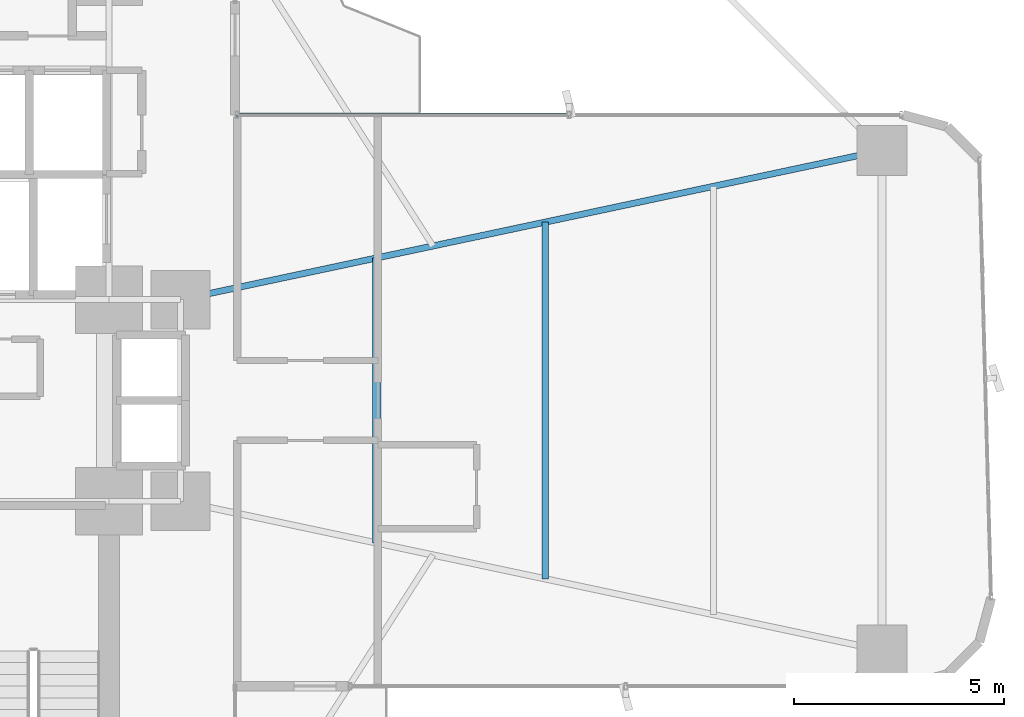
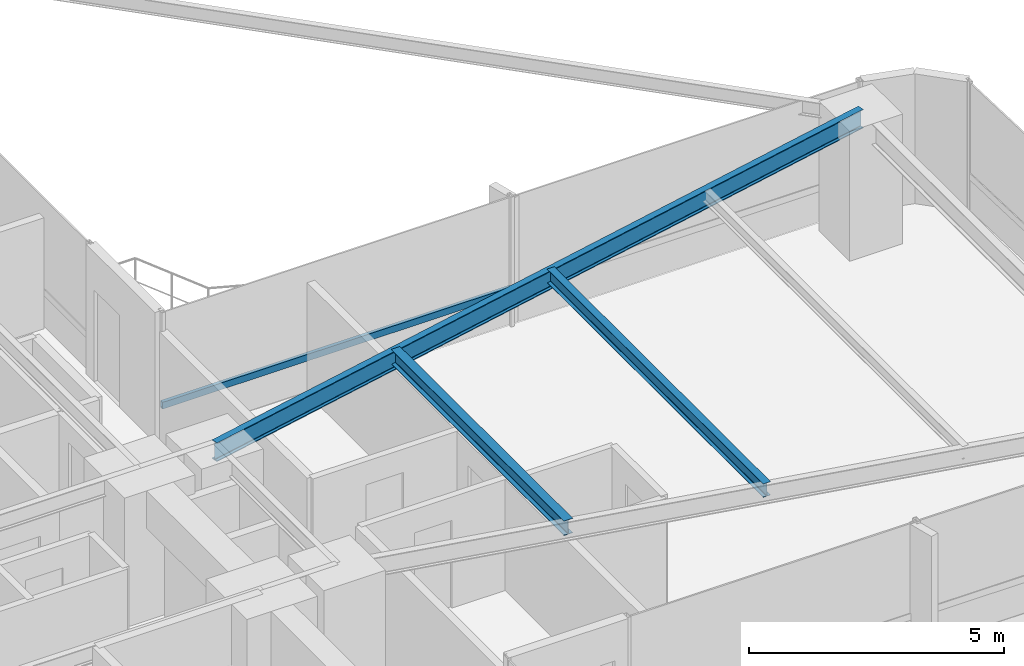
# One storey, part 15 of 25: 3 beams, 1 member, 1 element without a shape of its own.
"""IFC4 building model written with IfcOpenShell, lengths in metres."""

from ifc_helpers import new_model, si_unit, direction, frame, origin, origin_2d, place, context, subcontext, project, spatial, hollow_rectangle, i_section, extrude, source, transform, mapped, material, material_profile, profile_set, type_object, element, aggregate, save


model = new_model("IFC4")

# Units and contexts
model_context = context("Model", 3, precision=1e-05, world=origin(), true_north=direction((0.0, 1.0)))
body_context = subcontext(model_context, "Body", "Model", "MODEL_VIEW")
ifc_project = project(units=[si_unit("LENGTHUNIT", "METRE"), si_unit("AREAUNIT", "SQUARE_METRE"), si_unit("VOLUMEUNIT", "CUBIC_METRE"), si_unit("PLANEANGLEUNIT", "RADIAN"), si_unit("MASSUNIT", "GRAM", prefix="KILO")], contexts=[model_context])

# Site, building, storey
site_placement = place(None, origin())
site = spatial("IfcSite", under=ifc_project, at=site_placement, CompositionType="ELEMENT")
building_placement = place(site_placement, origin())
building = spatial("IfcBuilding", under=site, at=building_placement, Name="Sahyath Konkavel Grand Hotel", CompositionType="ELEMENT")
storey_placement = place(building_placement, frame((0.0, 0.0, 54.39990234375)))
storey = spatial("IfcBuildingStorey", under=building, at=storey_placement, Name="L14", CompositionType="ELEMENT", Elevation=54.39990234375)

# Beams
ifc_material_1 = material(Name="Steel E350", Category="steel")
ifc_material_profile_1 = material_profile(ifc_material_1, i_section(OverallWidth=0.14990234375, OverallDepth=0.449951171875, WebThickness=0.009521484375, FlangeThickness=0.017333984375, FilletRadius=0.014892578125, at=origin_2d()), Name="ISMB 450")
ifc_profile_set_1 = profile_set([ifc_material_profile_1], Name="Steel E350")
beam_type_1 = type_object("IfcBeamType", Name="BM-ISMB450", PredefinedType="BEAM", material=ifc_profile_set_1)
shared_shape_1 = source(origin(), body_context, "Body", "SweptSolid", [
    extrude(i_section(OverallWidth=0.14990234375, OverallDepth=0.449951171875, WebThickness=0.009521484375, FlangeThickness=0.017333984375, FilletRadius=0.014892578125, at=origin_2d()), origin(), (0.0, 0.0, 1.0), 17.072998046875),
])
beam_1_placement = place(storey_placement, frame((5.5, 2.39990234375, 2.885009765625), z_axis=(0.978143257225, 0.20793212437, 0.0), x_axis=(-0.20793212437, 0.978143257225, 0.0)))
element("IfcBeam", 1, at=beam_1_placement, inside=storey, type_object=beam_type_1, Name="L14 Cruciform Radial Girder EB", PredefinedType="BEAM", context=body_context, shape_type="MappedRepresentation", body=[
    mapped(shared_shape_1, transform((0.0, 0.0, 0.0), scale=1.0)),
])
ifc_material_profile_2 = material_profile(ifc_material_1, i_section(OverallWidth=0.199951171875, OverallDepth=0.35009765625, WebThickness=0.008056640625, FlangeThickness=0.011474609375, FilletRadius=0.013916015625, at=origin_2d()), Name="ISWB 350")
ifc_profile_set_2 = profile_set([ifc_material_profile_2], Name="Steel E350")
beam_type_2 = type_object("IfcBeamType", Name="BM-ISWB350", PredefinedType="BEAM", material=ifc_profile_set_2)
shared_shape_2 = source(origin(), body_context, "Body", "SweptSolid", [
    extrude(i_section(OverallWidth=0.199951171875, OverallDepth=0.35009765625, WebThickness=0.008056640625, FlangeThickness=0.011474609375, FilletRadius=0.013916015625, at=origin_2d()), origin(), (0.0, 0.0, 1.0), 6.7880859375),
])
beam_2_placement = place(storey_placement, frame((10.176025390625, -3.39404296875, 2.93505859375), z_axis=(0.0, 1.0, 0.0), x_axis=(-1.0, 0.0, 0.0)))
element("IfcBeam", 2, at=beam_2_placement, inside=storey, type_object=beam_type_2, Name="L14 Secondary Floor Beam E-1", PredefinedType="BEAM", context=body_context, shape_type="MappedRepresentation", body=[
    mapped(shared_shape_2, transform((0.0, 0.0, 0.0), scale=1.0)),
])
ifc_material_profile_3 = material_profile(ifc_material_1, i_section(OverallWidth=0.1650390625, OverallDepth=0.324951171875, WebThickness=0.007080078125, FlangeThickness=0.009765625, FilletRadius=0.014892578125, at=origin_2d()), Name="ISLB 325")
ifc_profile_set_3 = profile_set([ifc_material_profile_3], Name="Steel E350")
beam_type_3 = type_object("IfcBeamType", Name="BM-ISLB325", PredefinedType="BEAM", material=ifc_profile_set_3)
shared_shape_3 = source(origin(), body_context, "Body", "SweptSolid", [
    extrude(i_section(OverallWidth=0.1650390625, OverallDepth=0.324951171875, WebThickness=0.007080078125, FlangeThickness=0.009765625, FilletRadius=0.014892578125, at=origin_2d()), origin(), (0.0, 0.0, 1.0), 8.4921875),
])
beam_3_placement = place(storey_placement, frame((14.18408203125, -4.24609375, 2.947509765625), z_axis=(0.0, 1.0, 0.0), x_axis=(-1.0, 0.0, 0.0)))
element("IfcBeam", 3, at=beam_3_placement, inside=storey, type_object=beam_type_3, Name="L14 Secondary Floor Beam E-2", PredefinedType="BEAM", context=body_context, shape_type="MappedRepresentation", body=[
    mapped(shared_shape_3, transform((0.0, 0.0, 0.0), scale=1.0)),
])

# Curtain wall, member
ifc_material_2 = material(Name="Anodised Bronze Aluminium & Low-E Glazing", Category="aluminium")
curtain_wall_type = type_object("IfcCurtainWallType", Name="CW-ZONE1", PredefinedType="NOTDEFINED", material=ifc_material_2)
curtain_wall_placement = place(storey_placement, origin())
curtain_wall = element("IfcCurtainWall", 4, at=curtain_wall_placement, inside=storey, type_object=curtain_wall_type, Name="L14 Unitised Curtain Wall F7", PredefinedType="NOTDEFINED")
ifc_material_3 = material(Name="Anodised Bronze Aluminium", Category="aluminium")
ifc_material_profile_4 = material_profile(ifc_material_3, hollow_rectangle(XDim=0.080078125, YDim=0.159912109375, WallThickness=0.006103515625, at=origin_2d()), Name="RHS 160x80x6")
ifc_profile_set_4 = profile_set([ifc_material_profile_4], Name="Anodised Bronze Aluminium")
member_type = type_object("IfcMemberType", Name="CW-TRN-160", PredefinedType="USERDEFINED", material=ifc_profile_set_4)
shared_shape_4 = source(origin(), body_context, "Body", "SweptSolid", [
    extrude(hollow_rectangle(XDim=0.080078125, YDim=0.159912109375, WallThickness=0.006103515625, at=origin_2d()), origin(), (0.0, 0.0, 1.0), 7.909912109375),
])
member_placement = place(storey_placement, frame((14.75, 6.800048828125, 0.85009765625), z_axis=(-1.0, 0.0, 0.0), x_axis=(0.0, -1.0, 0.0)))
member = element("IfcMember", 5, at=member_placement, type_object=member_type, Name="L14 Curtain Wall Transom F7-1-spandrel", ObjectType="TRANSOM", PredefinedType="USERDEFINED", context=body_context, shape_type="MappedRepresentation", body=[
    mapped(shared_shape_4, transform((0.0, 0.0, 0.0), scale=1.0)),
])
aggregate(curtain_wall, [member])

save(model, "model.ifc")
